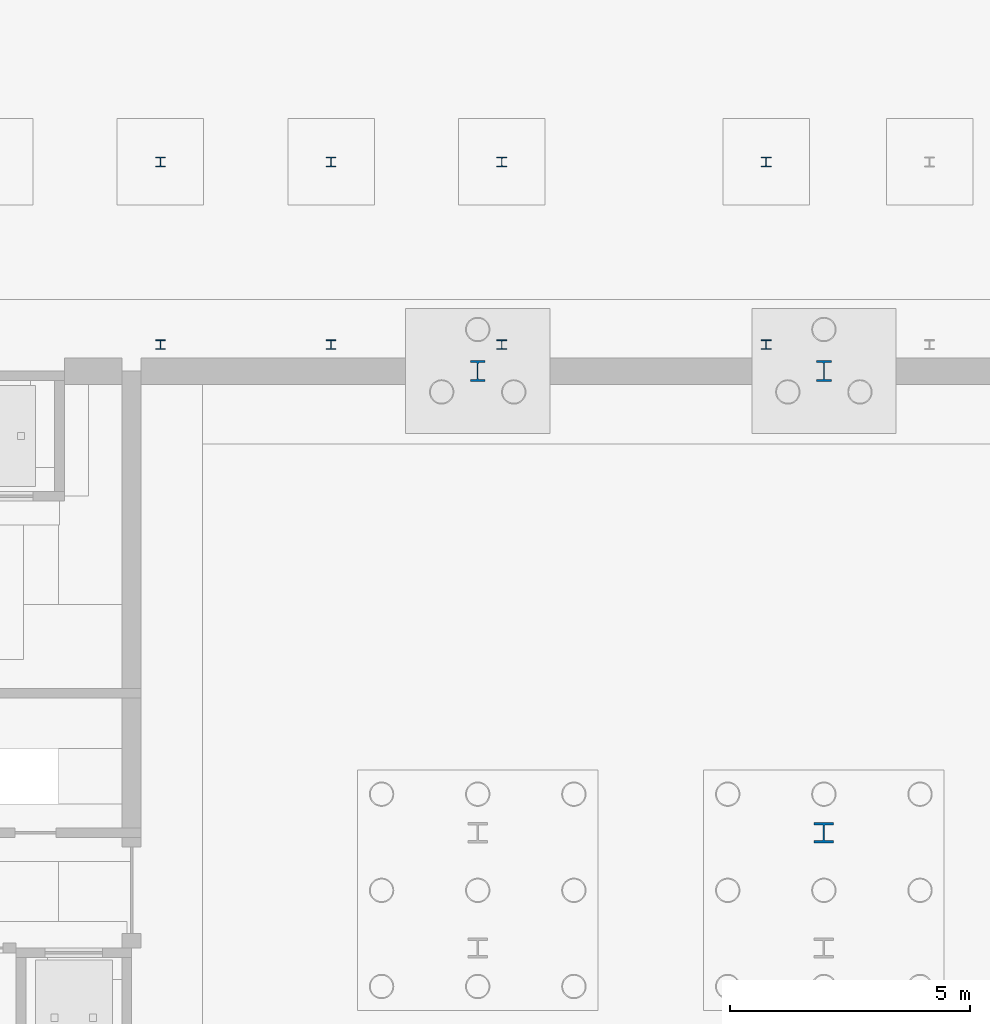
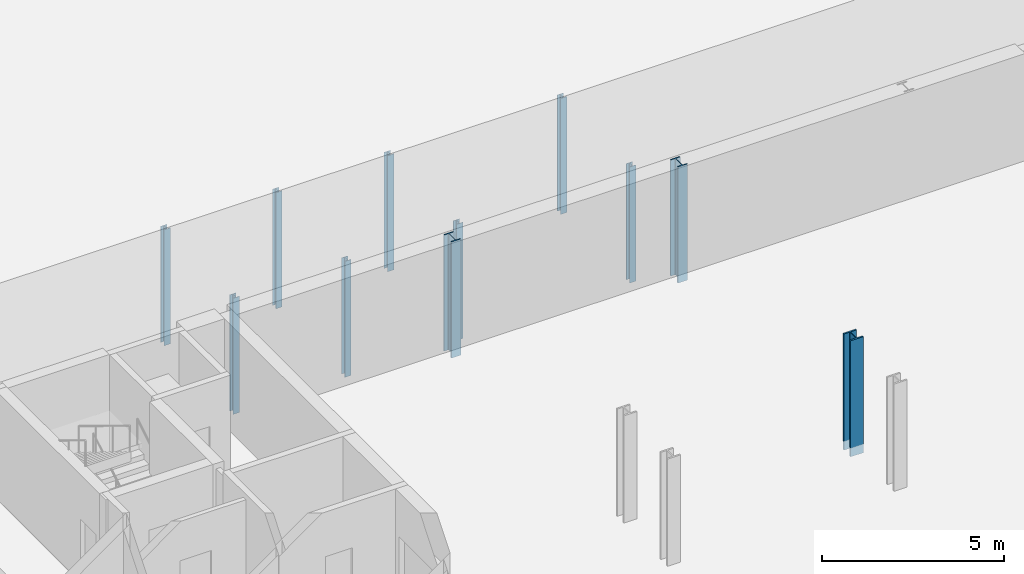
# One storey, part 62 of 148: 11 columns.
"""IFC4 building model written with IfcOpenShell, lengths in metres."""

from ifc_helpers import new_model, si_unit, direction, frame, origin, origin_2d, place, context, subcontext, project, spatial, i_section, extrude, material, material_profile, profile_set, type_object, element, save


model = new_model("IFC4")

# Units and contexts
model_context = context("Model", 3, precision=1e-05, world=origin(), true_north=direction((0.0, 1.0)))
body_context = subcontext(model_context, "Body", "Model", "MODEL_VIEW")
ifc_project = project(units=[si_unit("LENGTHUNIT", "METRE"), si_unit("AREAUNIT", "SQUARE_METRE"), si_unit("VOLUMEUNIT", "CUBIC_METRE"), si_unit("PLANEANGLEUNIT", "RADIAN"), si_unit("MASSUNIT", "GRAM", prefix="KILO")], contexts=[model_context])

# Site, building, storey
site_placement = place(None, origin())
site = spatial("IfcSite", under=ifc_project, at=site_placement, CompositionType="ELEMENT")
building_placement = place(site_placement, origin())
building = spatial("IfcBuilding", under=site, at=building_placement, Name="Kupolbacken Congress Centre", CompositionType="ELEMENT")
storey_placement = place(building_placement, origin())
storey = spatial("IfcBuildingStorey", under=building, at=storey_placement, Name="L00", CompositionType="ELEMENT", Elevation=0.0)

# Columns
ifc_material_1 = material(Name="Steel S355", Category="steel")
ifc_material_profile_1 = material_profile(ifc_material_1, i_section(OverallWidth=0.408935546875, OverallDepth=0.425048828125, WebThickness=0.03271484375, FlangeThickness=0.052490234375, FilletRadius=0.014892578125, at=origin_2d()), Name="HD 400 x 421")
ifc_profile_set_1 = profile_set([ifc_material_profile_1], Name="Steel S355")
column_type_1 = type_object("IfcColumnType", Name="C01 column HD 400 x 421", PredefinedType="COLUMN", material=ifc_profile_set_1)
column_placement = place(storey_placement, frame((122.39990234375, 134.39990234375, -0.300048828125), z_axis=(0.0, 0.0, 1.0), x_axis=(1.0, 0.0, 0.0)))
element("IfcColumn", 1, at=column_placement, inside=storey, type_object=column_type_1, Name="S/col/C-T-18U+4800/L00", PredefinedType="COLUMN", context=body_context, shape_type="SweptSolid", body=[
    extrude(i_section(OverallWidth=0.408935546875, OverallDepth=0.425048828125, WebThickness=0.03271484375, FlangeThickness=0.052490234375, FilletRadius=0.014892578125, at=origin_2d()), origin(), (0.0, 0.0, 1.0), 3.900146484375),
])
ifc_material_2 = material(Name="Steel S355", Category="steel")
ifc_material_profile_2 = material_profile(ifc_material_2, i_section(OverallWidth=0.306884765625, OverallDepth=0.431884765625, WebThickness=0.02099609375, FlangeThickness=0.0400390625, FilletRadius=0.027099609375, at=origin_2d()), Name="HEM 400")
ifc_profile_set_2 = profile_set([ifc_material_profile_2], Name="Steel S355")
column_type_2 = type_object("IfcColumnType", Name="C02 column HEM 400", PredefinedType="COLUMN", material=ifc_profile_set_2)
for number, where, z_axis, x_axis, name in (
    (2, (115.199951171875, 144.0, -0.300048828125), (0.0, 0.0, 1.0), (1.0, 0.0, 0.0), "S/col/C-T-17W/L00"),
    (3, (122.39990234375, 144.0, -0.300048828125), (0.0, 0.0, 1.0), (1.0, 0.0, 0.0), "S/col/C-T-18W/L00"),
):
    element("IfcColumn", number, at=place(storey_placement, frame(where, z_axis=z_axis, x_axis=x_axis)), inside=storey, type_object=column_type_2, Name=name, PredefinedType="COLUMN", context=body_context, shape_type="SweptSolid", body=[
        extrude(i_section(OverallWidth=0.306884765625, OverallDepth=0.431884765625, WebThickness=0.02099609375, FlangeThickness=0.0400390625, FilletRadius=0.027099609375, at=origin_2d()), origin(), (0.0, 0.0, 1.0), 3.900146484375),
    ])
ifc_material_3 = material(Name="Steel S355", Category="steel")
ifc_material_profile_3 = material_profile(ifc_material_3, i_section(OverallWidth=0.199951171875, OverallDepth=0.199951171875, WebThickness=0.009033203125, FlangeThickness=0.014892578125, FilletRadius=0.01806640625, at=origin_2d()), Name="HEB 200")
ifc_profile_set_3 = profile_set([ifc_material_profile_3], Name="Steel S355")
column_type_3 = type_object("IfcColumnType", Name="C11 column HEB 200", PredefinedType="COLUMN", material=ifc_profile_set_3)
for number, where, z_axis, x_axis, name in (
    (4, (108.60009765625, 144.550048828125, -0.300048828125), (0.0, 0.0, 1.0), (1.0, 0.0, 0.0), "Covered passage column"),
    (5, (108.60009765625, 148.35009765625, -0.300048828125), (0.0, 0.0, 1.0), (1.0, 0.0, 0.0), "Covered passage column"),
    (6, (112.14990234375, 144.550048828125, -0.300048828125), (0.0, 0.0, 1.0), (1.0, 0.0, 0.0), "Covered passage column"),
    (7, (112.14990234375, 148.35009765625, -0.300048828125), (0.0, 0.0, 1.0), (1.0, 0.0, 0.0), "Covered passage column"),
    (8, (115.699951171875, 144.550048828125, -0.300048828125), (0.0, 0.0, 1.0), (1.0, 0.0, 0.0), "Covered passage column"),
    (9, (115.699951171875, 148.35009765625, -0.300048828125), (0.0, 0.0, 1.0), (1.0, 0.0, 0.0), "Covered passage column"),
    (10, (121.199951171875, 144.550048828125, -0.300048828125), (0.0, 0.0, 1.0), (1.0, 0.0, 0.0), "Covered passage column"),
    (11, (121.199951171875, 148.35009765625, -0.300048828125), (0.0, 0.0, 1.0), (1.0, 0.0, 0.0), "Covered passage column"),
):
    element("IfcColumn", number, at=place(storey_placement, frame(where, z_axis=z_axis, x_axis=x_axis)), inside=storey, type_object=column_type_3, Name=name, PredefinedType="COLUMN", context=body_context, shape_type="SweptSolid", body=[
        extrude(i_section(OverallWidth=0.199951171875, OverallDepth=0.199951171875, WebThickness=0.009033203125, FlangeThickness=0.014892578125, FilletRadius=0.01806640625, at=origin_2d()), origin(), (0.0, 0.0, 1.0), 3.900146484375),
    ])

save(model, "model.ifc")
